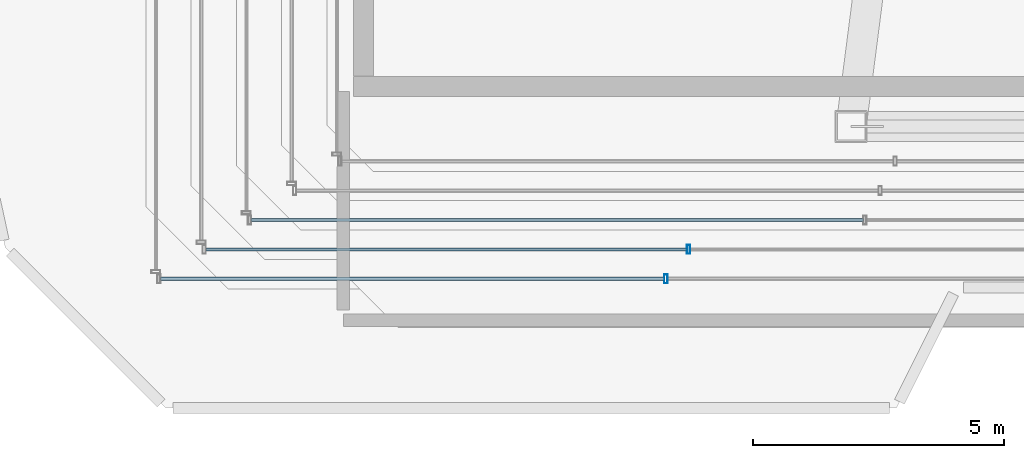
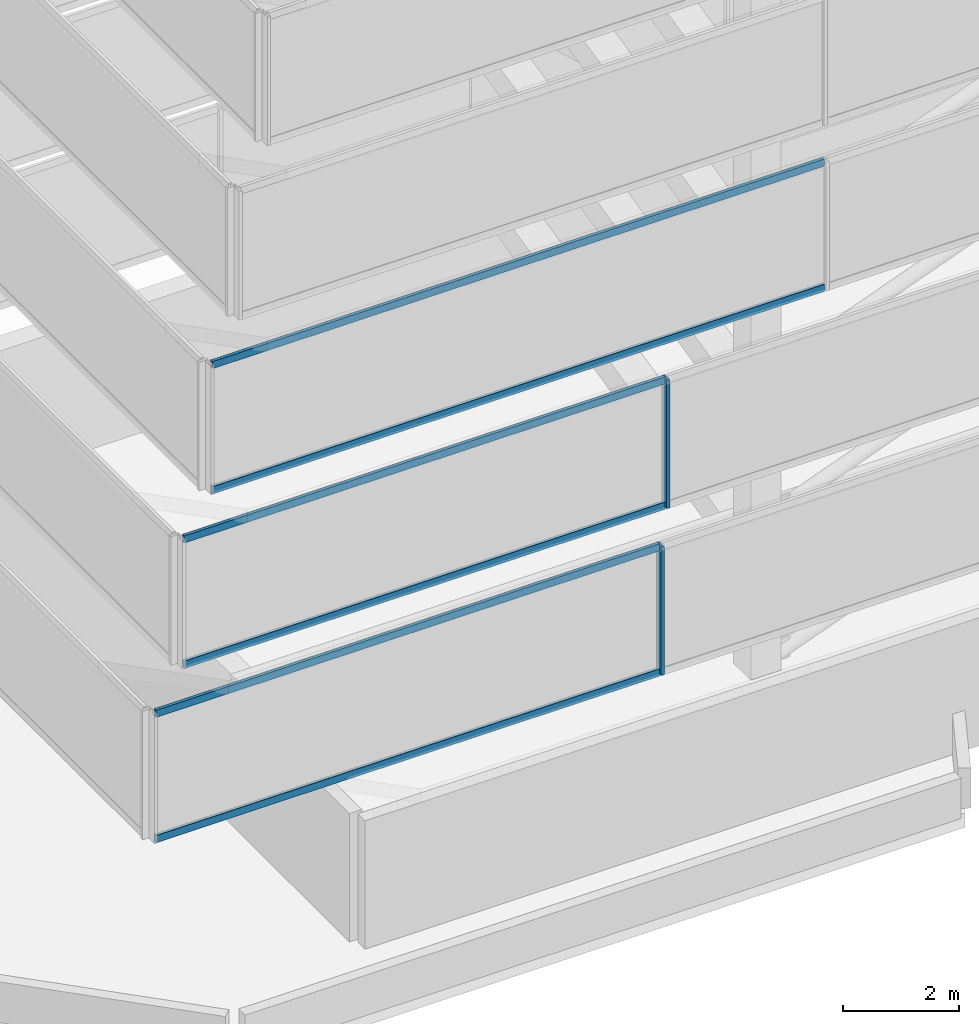
# One storey, part 2 of 29: 8 members, 3 elements without a shape of their own.
"""IFC4 building model written with IfcOpenShell, lengths in metres."""

from ifc_helpers import new_model, si_unit, direction, frame, origin, origin_2d, place, context, subcontext, project, spatial, hollow_rectangle, extrude, material, material_profile, profile_set, type_object, element, aggregate, save


model = new_model("IFC4")

# Units and contexts
model_context = context("Model", 3, precision=1e-05, world=origin(), true_north=direction((0.0, 1.0)))
body_context = subcontext(model_context, "Body", "Model", "MODEL_VIEW")
ifc_project = project(units=[si_unit("LENGTHUNIT", "METRE"), si_unit("AREAUNIT", "SQUARE_METRE"), si_unit("VOLUMEUNIT", "CUBIC_METRE"), si_unit("PLANEANGLEUNIT", "RADIAN"), si_unit("MASSUNIT", "GRAM", prefix="KILO")], contexts=[model_context])

# Site, building, storey
site_placement = place(None, origin())
site = spatial("IfcSite", under=ifc_project, at=site_placement, CompositionType="ELEMENT")
building_placement = place(site_placement, origin())
building = spatial("IfcBuilding", under=site, at=building_placement, Name="Saevonmaru Cultural Tower", CompositionType="ELEMENT")
storey_placement = place(building_placement, frame((0.0, 0.0, 327.60009765625)))
storey = spatial("IfcBuildingStorey", under=building, at=storey_placement, Name="RF", CompositionType="ELEMENT", Elevation=327.60009765625)

# Curtain wall, member
ifc_material = material(Name="Satin Bronze Anodised Aluminium", Category="aluminium")
curtain_wall_type = type_object("IfcCurtainWallType", Name="CW-TYP-B", PredefinedType="NOTDEFINED", material=ifc_material)
curtain_wall_1_placement = place(storey_placement, origin())
curtain_wall_1 = element("IfcCurtainWall", 1, at=curtain_wall_1_placement, inside=storey, type_object=curtain_wall_type, Name="RF Ziggurat Crown Tier 2 Bronze Louvre Screen 1", PredefinedType="NOTDEFINED")
ifc_material_profile_1 = material_profile(ifc_material, hollow_rectangle(XDim=0.06494140625, YDim=0.179931640625, WallThickness=0.00390625, at=origin_2d()), Name="ALU-MULL-180x65x4")
ifc_profile_set_1 = profile_set([ifc_material_profile_1], Name="Satin Bronze Anodised Aluminium")
member_type_1 = type_object("IfcMemberType", Name="ML-CW-180x65", PredefinedType="MULLION", material=ifc_profile_set_1)
member_1_placement = place(storey_placement, frame((19.91650390625, 39.3701171875, 3.0), z_axis=(0.0, 0.0, 1.0), x_axis=(1.0, 0.0, 0.0)))
member_1 = element("IfcMember", 2, at=member_1_placement, type_object=member_type_1, Name="CW-CROWN-T2-1 mullion 2", PredefinedType="MULLION", context=body_context, shape_type="SweptSolid", body=[
    extrude(hollow_rectangle(XDim=0.06494140625, YDim=0.179931640625, WallThickness=0.00390625, at=origin_2d()), origin(), (0.0, 0.0, 1.0), 2.699951171875),
])

curtain_wall_2_placement = place(storey_placement, origin())
curtain_wall_2 = element("IfcCurtainWall", 3, at=curtain_wall_2_placement, inside=storey, type_object=curtain_wall_type, Name="RF Ziggurat Crown Tier 3 Bronze Louvre Screen 1", PredefinedType="NOTDEFINED")
member_2_placement = place(storey_placement, frame((20.366455078125, 39.955078125, 6.0), z_axis=(0.0, 0.0, 1.0), x_axis=(1.0, 0.0, 0.0)))
member_2 = element("IfcMember", 4, at=member_2_placement, type_object=member_type_1, Name="CW-CROWN-T3-1 mullion 2", PredefinedType="MULLION", context=body_context, shape_type="SweptSolid", body=[
    extrude(hollow_rectangle(XDim=0.06494140625, YDim=0.179931640625, WallThickness=0.00390625, at=origin_2d()), origin(), (0.0, 0.0, 1.0), 2.699951171875),
])

# Member
ifc_material_profile_2 = material_profile(ifc_material, hollow_rectangle(XDim=0.06494140625, YDim=0.14990234375, WallThickness=0.00390625, at=origin_2d()), Name="ALU-TRAN-150x65x4")
ifc_profile_set_2 = profile_set([ifc_material_profile_2], Name="Satin Bronze Anodised Aluminium")
member_type_2 = type_object("IfcMemberType", Name="TR-CW-150x65", PredefinedType="USERDEFINED", material=ifc_profile_set_2)
member_3_placement = place(storey_placement, frame((9.865478515625, 39.3701171875, 3.032470703125), z_axis=(1.0, 0.0, 0.0), x_axis=(0.0, 1.0, 0.0)))
member_3 = element("IfcMember", 5, at=member_3_placement, type_object=member_type_2, Name="CW-CROWN-T2-1 transom 1.1", ObjectType="TRANSOM", PredefinedType="USERDEFINED", context=body_context, shape_type="SweptSolid", body=[
    extrude(hollow_rectangle(XDim=0.06494140625, YDim=0.14990234375, WallThickness=0.00390625, at=origin_2d()), origin(), (0.0, 0.0, 1.0), 10.0185546875),
])

member_4_placement = place(storey_placement, frame((9.865478515625, 39.3701171875, 5.66748046875), z_axis=(1.0, 0.0, 0.0), x_axis=(0.0, 1.0, 0.0)))
member_4 = element("IfcMember", 6, at=member_4_placement, type_object=member_type_2, Name="CW-CROWN-T2-1 transom 1.2", ObjectType="TRANSOM", PredefinedType="USERDEFINED", context=body_context, shape_type="SweptSolid", body=[
    extrude(hollow_rectangle(XDim=0.06494140625, YDim=0.14990234375, WallThickness=0.00390625, at=origin_2d()), origin(), (0.0, 0.0, 1.0), 10.0185546875),
])

aggregate(curtain_wall_1, [member_1, member_3, member_4])

member_5_placement = place(storey_placement, frame((10.765380859375, 39.955078125, 6.032470703125), z_axis=(1.0, 0.0, 0.0), x_axis=(0.0, 1.0, 0.0)))
member_5 = element("IfcMember", 7, at=member_5_placement, type_object=member_type_2, Name="CW-CROWN-T3-1 transom 1.1", ObjectType="TRANSOM", PredefinedType="USERDEFINED", context=body_context, shape_type="SweptSolid", body=[
    extrude(hollow_rectangle(XDim=0.06494140625, YDim=0.14990234375, WallThickness=0.00390625, at=origin_2d()), origin(), (0.0, 0.0, 1.0), 9.568603515625),
])

member_6_placement = place(storey_placement, frame((10.765380859375, 39.955078125, 8.66748046875), z_axis=(1.0, 0.0, 0.0), x_axis=(0.0, 1.0, 0.0)))
member_6 = element("IfcMember", 8, at=member_6_placement, type_object=member_type_2, Name="CW-CROWN-T3-1 transom 1.2", ObjectType="TRANSOM", PredefinedType="USERDEFINED", context=body_context, shape_type="SweptSolid", body=[
    extrude(hollow_rectangle(XDim=0.06494140625, YDim=0.14990234375, WallThickness=0.00390625, at=origin_2d()), origin(), (0.0, 0.0, 1.0), 9.568603515625),
])

aggregate(curtain_wall_2, [member_2, member_5, member_6])

# Curtain wall, members
curtain_wall_3_placement = place(storey_placement, origin())
curtain_wall_3 = element("IfcCurtainWall", 9, at=curtain_wall_3_placement, inside=storey, type_object=curtain_wall_type, Name="RF Ziggurat Crown Tier 4 Bronze Louvre Screen 1", PredefinedType="NOTDEFINED")
member_7_placement = place(storey_placement, frame((11.66552734375, 40.5400390625, 9.032470703125), z_axis=(1.0, 0.0, 0.0), x_axis=(0.0, 1.0, 0.0)))
member_7 = element("IfcMember", 10, at=member_7_placement, type_object=member_type_2, Name="CW-CROWN-T4-1 transom 1.1", ObjectType="TRANSOM", PredefinedType="USERDEFINED", context=body_context, shape_type="SweptSolid", body=[
    extrude(hollow_rectangle(XDim=0.06494140625, YDim=0.14990234375, WallThickness=0.00390625, at=origin_2d()), origin(), (0.0, 0.0, 1.0), 12.1796875),
])
member_8_placement = place(storey_placement, frame((11.66552734375, 40.5400390625, 11.66748046875), z_axis=(1.0, 0.0, 0.0), x_axis=(0.0, 1.0, 0.0)))
member_8 = element("IfcMember", 11, at=member_8_placement, type_object=member_type_2, Name="CW-CROWN-T4-1 transom 1.2", ObjectType="TRANSOM", PredefinedType="USERDEFINED", context=body_context, shape_type="SweptSolid", body=[
    extrude(hollow_rectangle(XDim=0.06494140625, YDim=0.14990234375, WallThickness=0.00390625, at=origin_2d()), origin(), (0.0, 0.0, 1.0), 12.1796875),
])
aggregate(curtain_wall_3, [member_7, member_8])

save(model, "model.ifc")
